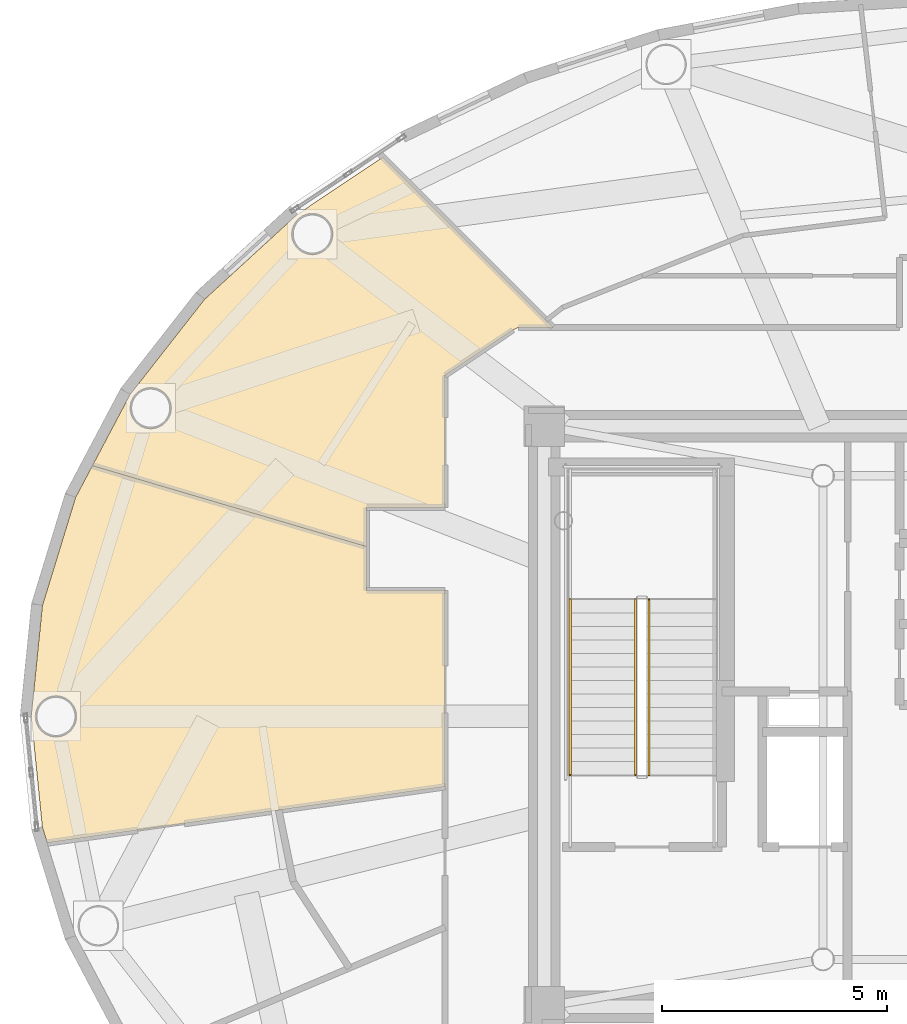
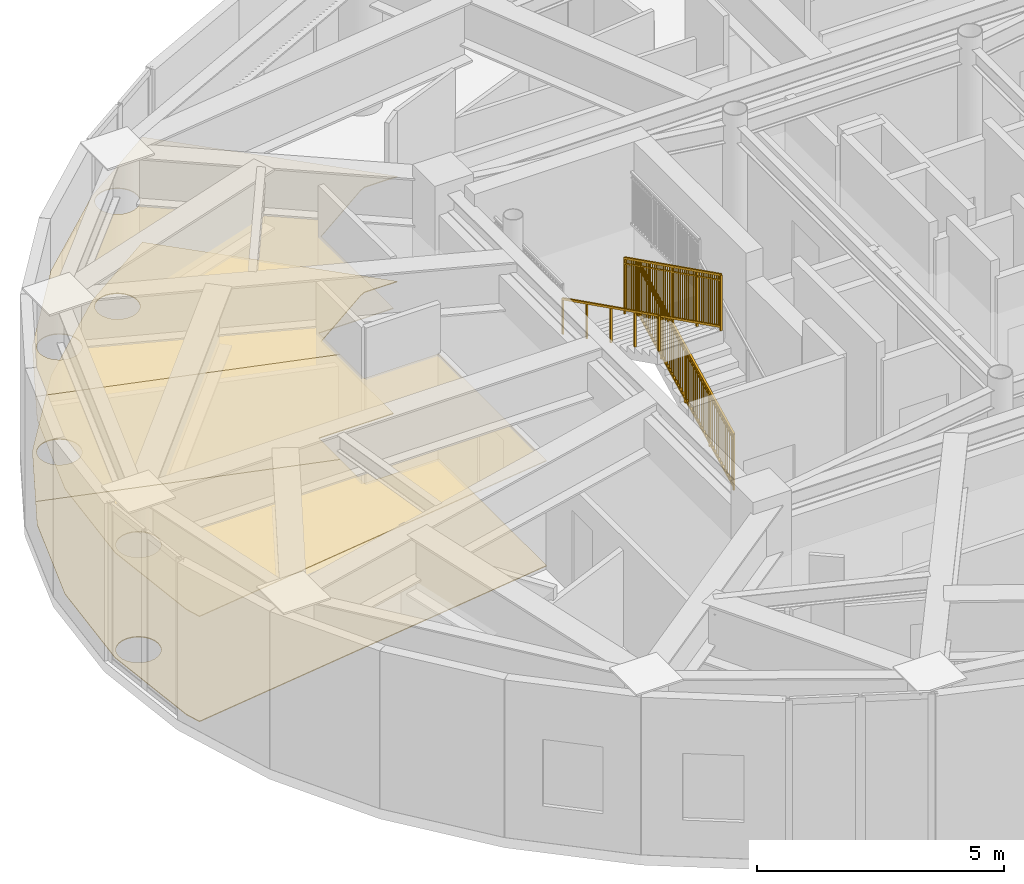
# One storey, part 21 of 23: 4 coverings, 3 railings.
"""IFC4 building model written with IfcOpenShell, lengths in metres."""

from ifc_helpers import new_model, si_unit, direction, frame, origin, origin_2d, place, context, subcontext, project, spatial, polyline, rectangle, outline, extrude, source, transform, mapped, material, layer, layer_set, type_object, element, save


model = new_model("IFC4")

# Units and contexts
model_context = context("Model", 3, precision=1e-05, world=origin(), true_north=direction((0.0, 1.0)))
body_context = subcontext(model_context, "Body", "Model", "MODEL_VIEW")
ifc_project = project(units=[si_unit("LENGTHUNIT", "METRE"), si_unit("AREAUNIT", "SQUARE_METRE"), si_unit("VOLUMEUNIT", "CUBIC_METRE"), si_unit("PLANEANGLEUNIT", "RADIAN"), si_unit("MASSUNIT", "GRAM", prefix="KILO")], contexts=[model_context])

# Site, building, storey
site_placement = place(None, origin())
site = spatial("IfcSite", under=ifc_project, at=site_placement, CompositionType="ELEMENT")
building_placement = place(site_placement, origin())
building = spatial("IfcBuilding", under=site, at=building_placement, Name="Linh Dai School and Residence Tower", CompositionType="ELEMENT")
storey_placement = place(building_placement, frame((0.0, 0.0, 359.39990234375)))
storey = spatial("IfcBuildingStorey", under=building, at=storey_placement, Name="L89", CompositionType="ELEMENT", Elevation=359.39990234375)

# Coverings
ifc_material_1 = material(Name="Mineral Fibre Acoustic Suspended Ceiling", Category="masonry")
ifc_layer_1 = layer(ifc_material_1, 0.02001953125)
ifc_layer_set_1 = layer_set([ifc_layer_1], Name="Mineral Fibre Acoustic Suspended Ceiling")
covering_type_1 = type_object("IfcCoveringType", Name="COV-CEIL-AC-20", PredefinedType="CEILING", material=ifc_layer_set_1)
covering_1_placement = place(storey_placement, frame((0.0, 0.0, 2.60009765625)))
element("IfcCovering", 1, at=covering_1_placement, inside=storey, type_object=covering_type_1, Name="L89 Crown Sky Wintergarden Lounge Suspended Ceiling", PredefinedType="CEILING", context=body_context, shape_type="SweptSolid", body=[
    extrude(outline(polyline([(19.598388671875, 36.266845703125), (21.658447265625, 38.15576171875), (23.5673828125, 39.4326171875), (27.35009765625, 35.64990234375), (26.580078125, 35.64990234375), (26.458740234375, 35.591796875), (24.949951171875, 34.58251953125), (24.949951171875, 31.64990234375), (23.199951171875, 31.64990234375), (23.199951171875, 30.777099609375), (17.109130859375, 32.57421875), (17.94384765625, 34.152587890625), (19.598388671875, 36.266845703125)]), holes=[polyline([(22.44384765625, 37.603271484375), (22.459716796875, 37.722900390625), (22.44384765625, 37.84228515625), (22.397705078125, 37.953857421875), (22.32421875, 38.049560546875), (22.228515625, 38.122802734375), (22.1171875, 38.1689453125), (21.99755859375, 38.184814453125), (21.8779296875, 38.1689453125), (21.7666015625, 38.122802734375), (21.6708984375, 38.049560546875), (21.597412109375, 37.953857421875), (21.55126953125, 37.84228515625), (21.53564453125, 37.722900390625), (21.55126953125, 37.603271484375), (21.597412109375, 37.49169921875), (21.6708984375, 37.39599609375), (21.7666015625, 37.32275390625), (21.8779296875, 37.276611328125), (21.99755859375, 37.2607421875), (22.1171875, 37.276611328125), (22.228515625, 37.32275390625), (22.32421875, 37.39599609375), (22.397705078125, 37.49169921875), (22.44384765625, 37.603271484375)]), polyline([(18.851318359375, 33.73291015625), (18.866943359375, 33.8525390625), (18.851318359375, 33.97216796875), (18.804931640625, 34.08349609375), (18.731689453125, 34.17919921875), (18.635986328125, 34.252685546875), (18.5244140625, 34.298828125), (18.40478515625, 34.314453125), (18.285400390625, 34.298828125), (18.173828125, 34.252685546875), (18.078369140625, 34.17919921875), (18.0048828125, 34.08349609375), (17.958740234375, 33.97216796875), (17.94287109375, 33.8525390625), (17.958740234375, 33.73291015625), (18.0048828125, 33.62158203125), (18.078369140625, 33.52587890625), (18.173828125, 33.452392578125), (18.285400390625, 33.40625), (18.40478515625, 33.390380859375), (18.5244140625, 33.40625), (18.635986328125, 33.452392578125), (18.731689453125, 33.52587890625), (18.804931640625, 33.62158203125), (18.851318359375, 33.73291015625)])]), origin(), (0.0, 0.0, 1.0), 0.02001953125),
])
covering_2_placement = place(storey_placement, frame((0.0, 0.0, 2.60009765625)))
element("IfcCovering", 2, at=covering_2_placement, inside=storey, type_object=covering_type_1, Name="L89 Crown Sky Wintergarden Lounge Reading Room Suspended Ceiling", PredefinedType="CEILING", context=body_context, shape_type="SweptSolid", body=[
    extrude(outline(polyline([(15.75, 27.0), (15.997314453125, 29.4619140625), (16.734375, 31.865478515625), (17.109130859375, 32.57421875), (23.199951171875, 30.777099609375), (23.199951171875, 29.800048828125), (24.949951171875, 29.800048828125), (24.949951171875, 25.439208984375), (16.104248046875, 24.189697265625), (15.997314453125, 24.5380859375), (15.75, 27.0)]), holes=[polyline([(16.746337890625, 27.11962890625), (16.7001953125, 27.23095703125), (16.626708984375, 27.32666015625), (16.531005859375, 27.400146484375), (16.419677734375, 27.4462890625), (16.300048828125, 27.4619140625), (16.180419921875, 27.4462890625), (16.069091796875, 27.400146484375), (15.973388671875, 27.32666015625), (15.89990234375, 27.23095703125), (15.853759765625, 27.11962890625), (15.837890625, 27.0), (15.853759765625, 26.88037109375), (15.89990234375, 26.76904296875), (15.973388671875, 26.67333984375), (16.069091796875, 26.599853515625), (16.180419921875, 26.5537109375), (16.300048828125, 26.5380859375), (16.419677734375, 26.5537109375), (16.531005859375, 26.599853515625), (16.626708984375, 26.67333984375), (16.7001953125, 26.76904296875), (16.746337890625, 26.88037109375), (16.761962890625, 27.0), (16.746337890625, 27.11962890625)])]), origin(), (0.0, 0.0, 1.0), 0.02001953125),
])
ifc_material_2 = material(Name="Polished Terrazzo Floor Finish", Category="masonry")
ifc_layer_2 = layer(ifc_material_2, 0.02490234375)
ifc_layer_set_2 = layer_set([ifc_layer_2], Name="Polished Terrazzo Floor Finish")
covering_type_2 = type_object("IfcCoveringType", Name="COV-FLR-TRZ-25", PredefinedType="FLOORING", material=ifc_layer_set_2)
covering_3_placement = place(storey_placement, origin())
element("IfcCovering", 3, at=covering_3_placement, inside=storey, type_object=covering_type_2, Name="L89 Crown Sky Wintergarden Lounge Floor Finish", PredefinedType="FLOORING", context=body_context, shape_type="SweptSolid", body=[
    extrude(outline(polyline([(19.598388671875, 36.266845703125), (21.658447265625, 38.15576171875), (23.5673828125, 39.4326171875), (27.35009765625, 35.64990234375), (26.580078125, 35.64990234375), (26.458740234375, 35.591796875), (24.949951171875, 34.58251953125), (24.949951171875, 31.64990234375), (23.199951171875, 31.64990234375), (23.199951171875, 30.777099609375), (17.109130859375, 32.57421875), (17.94384765625, 34.152587890625), (19.598388671875, 36.266845703125)]), holes=[polyline([(22.44384765625, 37.603271484375), (22.459716796875, 37.722900390625), (22.44384765625, 37.84228515625), (22.397705078125, 37.953857421875), (22.32421875, 38.049560546875), (22.228515625, 38.122802734375), (22.1171875, 38.1689453125), (21.99755859375, 38.184814453125), (21.8779296875, 38.1689453125), (21.7666015625, 38.122802734375), (21.6708984375, 38.049560546875), (21.597412109375, 37.953857421875), (21.55126953125, 37.84228515625), (21.53564453125, 37.722900390625), (21.55126953125, 37.603271484375), (21.597412109375, 37.49169921875), (21.6708984375, 37.39599609375), (21.7666015625, 37.32275390625), (21.8779296875, 37.276611328125), (21.99755859375, 37.2607421875), (22.1171875, 37.276611328125), (22.228515625, 37.32275390625), (22.32421875, 37.39599609375), (22.397705078125, 37.49169921875), (22.44384765625, 37.603271484375)]), polyline([(18.851318359375, 33.73291015625), (18.866943359375, 33.8525390625), (18.851318359375, 33.97216796875), (18.804931640625, 34.08349609375), (18.731689453125, 34.17919921875), (18.635986328125, 34.252685546875), (18.5244140625, 34.298828125), (18.40478515625, 34.314453125), (18.285400390625, 34.298828125), (18.173828125, 34.252685546875), (18.078369140625, 34.17919921875), (18.0048828125, 34.08349609375), (17.958740234375, 33.97216796875), (17.94287109375, 33.8525390625), (17.958740234375, 33.73291015625), (18.0048828125, 33.62158203125), (18.078369140625, 33.52587890625), (18.173828125, 33.452392578125), (18.285400390625, 33.40625), (18.40478515625, 33.390380859375), (18.5244140625, 33.40625), (18.635986328125, 33.452392578125), (18.731689453125, 33.52587890625), (18.804931640625, 33.62158203125), (18.851318359375, 33.73291015625)])]), origin(), (0.0, 0.0, 1.0), 0.02001953125),
])
covering_4_placement = place(storey_placement, origin())
element("IfcCovering", 4, at=covering_4_placement, inside=storey, type_object=covering_type_2, Name="L89 Crown Sky Wintergarden Lounge Reading Room Floor Finish", PredefinedType="FLOORING", context=body_context, shape_type="SweptSolid", body=[
    extrude(outline(polyline([(15.75, 27.0), (15.997314453125, 29.4619140625), (16.734375, 31.865478515625), (17.109130859375, 32.57421875), (23.199951171875, 30.777099609375), (23.199951171875, 29.800048828125), (24.949951171875, 29.800048828125), (24.949951171875, 25.439208984375), (16.104248046875, 24.189697265625), (15.997314453125, 24.5380859375), (15.75, 27.0)]), holes=[polyline([(16.746337890625, 27.11962890625), (16.7001953125, 27.23095703125), (16.626708984375, 27.32666015625), (16.531005859375, 27.400146484375), (16.419677734375, 27.4462890625), (16.300048828125, 27.4619140625), (16.180419921875, 27.4462890625), (16.069091796875, 27.400146484375), (15.973388671875, 27.32666015625), (15.89990234375, 27.23095703125), (15.853759765625, 27.11962890625), (15.837890625, 27.0), (15.853759765625, 26.88037109375), (15.89990234375, 26.76904296875), (15.973388671875, 26.67333984375), (16.069091796875, 26.599853515625), (16.180419921875, 26.5537109375), (16.300048828125, 26.5380859375), (16.419677734375, 26.5537109375), (16.531005859375, 26.599853515625), (16.626708984375, 26.67333984375), (16.7001953125, 26.76904296875), (16.746337890625, 26.88037109375), (16.761962890625, 27.0), (16.746337890625, 27.11962890625)])]), origin(), (0.0, 0.0, 1.0), 0.02001953125),
])

# Railings
ifc_material_3 = material(Name="Structural Steel S355JR", Category="steel")
railing_type_1 = type_object("IfcRailingType", Name="RL-ST-GUARD-1400", PredefinedType="GUARDRAIL", material=ifc_material_3)
shared_shape_1 = source(origin(), body_context, "Body", "SweptSolid", [
    extrude(rectangle(XDim=0.048095703125, YDim=0.048095703125, at=origin_2d()), frame((0.0, 0.0, 1.3759765625), z_axis=(0.0, 0.894438388696, 0.447191199406), x_axis=(-1.0, 0.0, 0.0)), (0.0, 0.0, 1.0), 4.3603515625),
    extrude(rectangle(XDim=0.048095703125, YDim=0.048095703125, at=origin_2d()), frame((0.0, 0.0, 0.10009765625), z_axis=(0.0, 0.894438388696, 0.447191199406), x_axis=(-1.0, 0.0, 0.0)), (0.0, 0.0, 1.0), 4.3603515625),
    extrude(rectangle(XDim=0.030029296875, YDim=0.030029296875, at=origin_2d()), frame((0.0, 0.0, 1.239990234375), z_axis=(0.0, 0.894438388696, 0.447191199406), x_axis=(-1.0, 0.0, 0.0)), (0.0, 0.0, 1.0), 4.3603515625),
    extrude(rectangle(XDim=0.02001953125, YDim=0.02001953125, at=origin_2d()), frame((0.0, 0.086669921875, 0.143310546875)), (0.0, 0.0, 1.0), 1.251708984375),
    extrude(rectangle(XDim=0.02001953125, YDim=0.02001953125, at=origin_2d()), frame((0.0, 0.17333984375, 0.186767578125)), (0.0, 0.0, 1.0), 1.251708984375),
    extrude(rectangle(XDim=0.02001953125, YDim=0.02001953125, at=origin_2d()), frame((0.0, 0.260009765625, 0.22998046875)), (0.0, 0.0, 1.0), 1.251708984375),
    extrude(rectangle(XDim=0.02001953125, YDim=0.02001953125, at=origin_2d()), frame((0.0, 0.3466796875, 0.2734375)), (0.0, 0.0, 1.0), 1.251708984375),
    extrude(rectangle(XDim=0.02001953125, YDim=0.02001953125, at=origin_2d()), frame((0.0, 0.433349609375, 0.316650390625)), (0.0, 0.0, 1.0), 1.251708984375),
    extrude(rectangle(XDim=0.02001953125, YDim=0.02001953125, at=origin_2d()), frame((0.0, 0.52001953125, 0.360107421875)), (0.0, 0.0, 1.0), 1.251708984375),
    extrude(rectangle(XDim=0.02001953125, YDim=0.02001953125, at=origin_2d()), frame((0.0, 0.606689453125, 0.4033203125)), (0.0, 0.0, 1.0), 1.251708984375),
    extrude(rectangle(XDim=0.02001953125, YDim=0.02001953125, at=origin_2d()), frame((0.0, 0.693359375, 0.44677734375)), (0.0, 0.0, 1.0), 1.251708984375),
    extrude(rectangle(XDim=0.02001953125, YDim=0.02001953125, at=origin_2d()), frame((0.0, 0.780029296875, 0.489990234375)), (0.0, 0.0, 1.0), 1.251708984375),
    extrude(rectangle(XDim=0.02001953125, YDim=0.02001953125, at=origin_2d()), frame((0.0, 0.86669921875, 0.533447265625)), (0.0, 0.0, 1.0), 1.251708984375),
    extrude(rectangle(XDim=0.02001953125, YDim=0.02001953125, at=origin_2d()), frame((0.0, 1.0400390625, 0.6201171875)), (0.0, 0.0, 1.0), 1.251708984375),
    extrude(rectangle(XDim=0.02001953125, YDim=0.02001953125, at=origin_2d()), frame((0.0, 1.126708984375, 0.663330078125)), (0.0, 0.0, 1.0), 1.251708984375),
    extrude(rectangle(XDim=0.02001953125, YDim=0.02001953125, at=origin_2d()), frame((0.0, 1.21337890625, 0.706787109375)), (0.0, 0.0, 1.0), 1.251708984375),
    extrude(rectangle(XDim=0.02001953125, YDim=0.02001953125, at=origin_2d()), frame((0.0, 1.300048828125, 0.75)), (0.0, 0.0, 1.0), 1.251708984375),
    extrude(rectangle(XDim=0.02001953125, YDim=0.02001953125, at=origin_2d()), frame((0.0, 1.38671875, 0.79345703125)), (0.0, 0.0, 1.0), 1.251708984375),
    extrude(rectangle(XDim=0.02001953125, YDim=0.02001953125, at=origin_2d()), frame((0.0, 1.473388671875, 0.836669921875)), (0.0, 0.0, 1.0), 1.251708984375),
    extrude(rectangle(XDim=0.02001953125, YDim=0.02001953125, at=origin_2d()), frame((0.0, 1.56005859375, 0.880126953125)), (0.0, 0.0, 1.0), 1.251708984375),
    extrude(rectangle(XDim=0.02001953125, YDim=0.02001953125, at=origin_2d()), frame((0.0, 1.646728515625, 0.92333984375)), (0.0, 0.0, 1.0), 1.251708984375),
    extrude(rectangle(XDim=0.02001953125, YDim=0.02001953125, at=origin_2d()), frame((0.0, 1.7333984375, 0.966796875)), (0.0, 0.0, 1.0), 1.251708984375),
    extrude(rectangle(XDim=0.02001953125, YDim=0.02001953125, at=origin_2d()), frame((0.0, 1.820068359375, 1.010009765625)), (0.0, 0.0, 1.0), 1.251708984375),
    extrude(rectangle(XDim=0.02001953125, YDim=0.02001953125, at=origin_2d()), frame((0.0, 1.90673828125, 1.053466796875)), (0.0, 0.0, 1.0), 1.251708984375),
    extrude(rectangle(XDim=0.02001953125, YDim=0.02001953125, at=origin_2d()), frame((0.0, 1.993408203125, 1.0966796875)), (0.0, 0.0, 1.0), 1.251708984375),
    extrude(rectangle(XDim=0.02001953125, YDim=0.02001953125, at=origin_2d()), frame((0.0, 2.080078125, 1.14013671875)), (0.0, 0.0, 1.0), 1.251708984375),
    extrude(rectangle(XDim=0.02001953125, YDim=0.02001953125, at=origin_2d()), frame((0.0, 2.166748046875, 1.183349609375)), (0.0, 0.0, 1.0), 1.251708984375),
    extrude(rectangle(XDim=0.02001953125, YDim=0.02001953125, at=origin_2d()), frame((0.0, 2.25341796875, 1.226806640625)), (0.0, 0.0, 1.0), 1.251708984375),
    extrude(rectangle(XDim=0.02001953125, YDim=0.02001953125, at=origin_2d()), frame((0.0, 2.340087890625, 1.27001953125)), (0.0, 0.0, 1.0), 1.251708984375),
    extrude(rectangle(XDim=0.02001953125, YDim=0.02001953125, at=origin_2d()), frame((0.0, 2.4267578125, 1.3134765625)), (0.0, 0.0, 1.0), 1.251708984375),
    extrude(rectangle(XDim=0.02001953125, YDim=0.02001953125, at=origin_2d()), frame((0.0, 2.513427734375, 1.356689453125)), (0.0, 0.0, 1.0), 1.251708984375),
    extrude(rectangle(XDim=0.02001953125, YDim=0.02001953125, at=origin_2d()), frame((0.0, 2.60009765625, 1.400146484375)), (0.0, 0.0, 1.0), 1.251708984375),
    extrude(rectangle(XDim=0.02001953125, YDim=0.02001953125, at=origin_2d()), frame((0.0, 2.686767578125, 1.443359375)), (0.0, 0.0, 1.0), 1.251708984375),
    extrude(rectangle(XDim=0.02001953125, YDim=0.02001953125, at=origin_2d()), frame((0.0, 2.7734375, 1.48681640625)), (0.0, 0.0, 1.0), 1.251708984375),
    extrude(rectangle(XDim=0.02001953125, YDim=0.02001953125, at=origin_2d()), frame((0.0, 2.860107421875, 1.530029296875)), (0.0, 0.0, 1.0), 1.251708984375),
    extrude(rectangle(XDim=0.02001953125, YDim=0.02001953125, at=origin_2d()), frame((0.0, 3.033447265625, 1.61669921875)), (0.0, 0.0, 1.0), 1.251708984375),
    extrude(rectangle(XDim=0.02001953125, YDim=0.02001953125, at=origin_2d()), frame((0.0, 3.1201171875, 1.66015625)), (0.0, 0.0, 1.0), 1.251708984375),
    extrude(rectangle(XDim=0.02001953125, YDim=0.02001953125, at=origin_2d()), frame((0.0, 3.206787109375, 1.703369140625)), (0.0, 0.0, 1.0), 1.251708984375),
    extrude(rectangle(XDim=0.02001953125, YDim=0.02001953125, at=origin_2d()), frame((0.0, 3.29345703125, 1.746826171875)), (0.0, 0.0, 1.0), 1.251708984375),
    extrude(rectangle(XDim=0.02001953125, YDim=0.02001953125, at=origin_2d()), frame((0.0, 3.380126953125, 1.7900390625)), (0.0, 0.0, 1.0), 1.251708984375),
    extrude(rectangle(XDim=0.02001953125, YDim=0.02001953125, at=origin_2d()), frame((0.0, 3.466796875, 1.83349609375)), (0.0, 0.0, 1.0), 1.251708984375),
    extrude(rectangle(XDim=0.02001953125, YDim=0.02001953125, at=origin_2d()), frame((0.0, 3.553466796875, 1.876708984375)), (0.0, 0.0, 1.0), 1.251708984375),
    extrude(rectangle(XDim=0.02001953125, YDim=0.02001953125, at=origin_2d()), frame((0.0, 3.64013671875, 1.920166015625)), (0.0, 0.0, 1.0), 1.251708984375),
    extrude(rectangle(XDim=0.02001953125, YDim=0.02001953125, at=origin_2d()), frame((0.0, 3.726806640625, 1.96337890625)), (0.0, 0.0, 1.0), 1.251708984375),
    extrude(rectangle(XDim=0.02001953125, YDim=0.02001953125, at=origin_2d()), frame((0.0, 3.8134765625, 2.0068359375)), (0.0, 0.0, 1.0), 1.251708984375),
    extrude(rectangle(XDim=0.0419921875, YDim=0.0419921875, at=origin_2d()), origin(), (0.0, 0.0, 1.0), 1.3759765625),
    extrude(rectangle(XDim=0.0419921875, YDim=0.0419921875, at=origin_2d()), frame((0.0, 0.97509765625, 0.487548828125)), (0.0, 0.0, 1.0), 1.3759765625),
    extrude(rectangle(XDim=0.0419921875, YDim=0.0419921875, at=origin_2d()), frame((0.0, 1.9501953125, 0.97509765625)), (0.0, 0.0, 1.0), 1.3759765625),
    extrude(rectangle(XDim=0.0419921875, YDim=0.0419921875, at=origin_2d()), frame((0.0, 2.925048828125, 1.46240234375)), (0.0, 0.0, 1.0), 1.3759765625),
    extrude(rectangle(XDim=0.0419921875, YDim=0.0419921875, at=origin_2d()), frame((0.0, 3.900146484375, 1.949951171875)), (0.0, 0.0, 1.0), 1.3759765625),
])
railing_1_placement = place(storey_placement, frame((29.47998046875, 25.699951171875, 0.150146484375)))
element("IfcRailing", 5, at=railing_1_placement, inside=storey, type_object=railing_type_1, Name="L89 ST1 stair guard 1", PredefinedType="GUARDRAIL", context=body_context, shape_type="MappedRepresentation", body=[
    mapped(shared_shape_1, transform((0.0, 0.0, 0.0), x_axis=(1.0, 0.0, 0.0), y_axis=(0.0, 1.0, 0.0), z_axis=(0.0, 0.0, 1.0), scale=1.0)),
])
shared_shape_2 = source(origin(), body_context, "Body", "SweptSolid", [
    extrude(rectangle(XDim=0.048095703125, YDim=0.048095703125, at=origin_2d()), frame((0.0, 0.0, 1.3759765625), z_axis=(0.0, -0.894415993023, 0.447235990752), x_axis=(1.0, 0.0, 0.0)), (0.0, 0.0, 1.0), 4.360595703125),
    extrude(rectangle(XDim=0.048095703125, YDim=0.048095703125, at=origin_2d()), frame((0.0, 0.0, 0.10009765625), z_axis=(0.0, -0.894415993023, 0.447235990752), x_axis=(1.0, 0.0, 0.0)), (0.0, 0.0, 1.0), 4.360595703125),
    extrude(rectangle(XDim=0.030029296875, YDim=0.030029296875, at=origin_2d()), frame((0.0, 0.0, 1.239990234375), z_axis=(0.0, -0.894415993023, 0.447235990752), x_axis=(1.0, 0.0, 0.0)), (0.0, 0.0, 1.0), 4.360595703125),
    extrude(rectangle(XDim=0.02001953125, YDim=0.02001953125, at=origin_2d()), frame((0.0, -0.086669921875, 0.1435546875)), (0.0, 0.0, 1.0), 1.251708984375),
    extrude(rectangle(XDim=0.02001953125, YDim=0.02001953125, at=origin_2d()), frame((0.0, -0.17333984375, 0.186767578125)), (0.0, 0.0, 1.0), 1.251708984375),
    extrude(rectangle(XDim=0.02001953125, YDim=0.02001953125, at=origin_2d()), frame((0.0, -0.260009765625, 0.230224609375)), (0.0, 0.0, 1.0), 1.251708984375),
    extrude(rectangle(XDim=0.02001953125, YDim=0.02001953125, at=origin_2d()), frame((0.0, -0.3466796875, 0.2734375)), (0.0, 0.0, 1.0), 1.251708984375),
    extrude(rectangle(XDim=0.02001953125, YDim=0.02001953125, at=origin_2d()), frame((0.0, -0.433349609375, 0.31689453125)), (0.0, 0.0, 1.0), 1.251708984375),
    extrude(rectangle(XDim=0.02001953125, YDim=0.02001953125, at=origin_2d()), frame((0.0, -0.52001953125, 0.360107421875)), (0.0, 0.0, 1.0), 1.251708984375),
    extrude(rectangle(XDim=0.02001953125, YDim=0.02001953125, at=origin_2d()), frame((0.0, -0.606689453125, 0.403564453125)), (0.0, 0.0, 1.0), 1.251708984375),
    extrude(rectangle(XDim=0.02001953125, YDim=0.02001953125, at=origin_2d()), frame((0.0, -0.693359375, 0.44677734375)), (0.0, 0.0, 1.0), 1.251708984375),
    extrude(rectangle(XDim=0.02001953125, YDim=0.02001953125, at=origin_2d()), frame((0.0, -0.780029296875, 0.490234375)), (0.0, 0.0, 1.0), 1.251708984375),
    extrude(rectangle(XDim=0.02001953125, YDim=0.02001953125, at=origin_2d()), frame((0.0, -0.86669921875, 0.533447265625)), (0.0, 0.0, 1.0), 1.251708984375),
    extrude(rectangle(XDim=0.02001953125, YDim=0.02001953125, at=origin_2d()), frame((0.0, -1.0400390625, 0.6201171875)), (0.0, 0.0, 1.0), 1.251708984375),
    extrude(rectangle(XDim=0.02001953125, YDim=0.02001953125, at=origin_2d()), frame((0.0, -1.126708984375, 0.66357421875)), (0.0, 0.0, 1.0), 1.251708984375),
    extrude(rectangle(XDim=0.02001953125, YDim=0.02001953125, at=origin_2d()), frame((0.0, -1.21337890625, 0.706787109375)), (0.0, 0.0, 1.0), 1.251708984375),
    extrude(rectangle(XDim=0.02001953125, YDim=0.02001953125, at=origin_2d()), frame((0.0, -1.300048828125, 0.750244140625)), (0.0, 0.0, 1.0), 1.251708984375),
    extrude(rectangle(XDim=0.02001953125, YDim=0.02001953125, at=origin_2d()), frame((0.0, -1.38671875, 0.79345703125)), (0.0, 0.0, 1.0), 1.251708984375),
    extrude(rectangle(XDim=0.02001953125, YDim=0.02001953125, at=origin_2d()), frame((0.0, -1.473388671875, 0.8369140625)), (0.0, 0.0, 1.0), 1.251708984375),
    extrude(rectangle(XDim=0.02001953125, YDim=0.02001953125, at=origin_2d()), frame((0.0, -1.56005859375, 0.880126953125)), (0.0, 0.0, 1.0), 1.251708984375),
    extrude(rectangle(XDim=0.02001953125, YDim=0.02001953125, at=origin_2d()), frame((0.0, -1.646728515625, 0.923583984375)), (0.0, 0.0, 1.0), 1.251708984375),
    extrude(rectangle(XDim=0.02001953125, YDim=0.02001953125, at=origin_2d()), frame((0.0, -1.7333984375, 0.966796875)), (0.0, 0.0, 1.0), 1.251708984375),
    extrude(rectangle(XDim=0.02001953125, YDim=0.02001953125, at=origin_2d()), frame((0.0, -1.820068359375, 1.01025390625)), (0.0, 0.0, 1.0), 1.251708984375),
    extrude(rectangle(XDim=0.02001953125, YDim=0.02001953125, at=origin_2d()), frame((0.0, -1.90673828125, 1.053466796875)), (0.0, 0.0, 1.0), 1.251708984375),
    extrude(rectangle(XDim=0.02001953125, YDim=0.02001953125, at=origin_2d()), frame((0.0, -1.993408203125, 1.096923828125)), (0.0, 0.0, 1.0), 1.251708984375),
    extrude(rectangle(XDim=0.02001953125, YDim=0.02001953125, at=origin_2d()), frame((0.0, -2.080078125, 1.14013671875)), (0.0, 0.0, 1.0), 1.251708984375),
    extrude(rectangle(XDim=0.02001953125, YDim=0.02001953125, at=origin_2d()), frame((0.0, -2.166748046875, 1.18359375)), (0.0, 0.0, 1.0), 1.251708984375),
    extrude(rectangle(XDim=0.02001953125, YDim=0.02001953125, at=origin_2d()), frame((0.0, -2.25341796875, 1.226806640625)), (0.0, 0.0, 1.0), 1.251708984375),
    extrude(rectangle(XDim=0.02001953125, YDim=0.02001953125, at=origin_2d()), frame((0.0, -2.340087890625, 1.270263671875)), (0.0, 0.0, 1.0), 1.251708984375),
    extrude(rectangle(XDim=0.02001953125, YDim=0.02001953125, at=origin_2d()), frame((0.0, -2.4267578125, 1.3134765625)), (0.0, 0.0, 1.0), 1.251708984375),
    extrude(rectangle(XDim=0.02001953125, YDim=0.02001953125, at=origin_2d()), frame((0.0, -2.513427734375, 1.35693359375)), (0.0, 0.0, 1.0), 1.251708984375),
    extrude(rectangle(XDim=0.02001953125, YDim=0.02001953125, at=origin_2d()), frame((0.0, -2.60009765625, 1.400146484375)), (0.0, 0.0, 1.0), 1.251708984375),
    extrude(rectangle(XDim=0.02001953125, YDim=0.02001953125, at=origin_2d()), frame((0.0, -2.686767578125, 1.443603515625)), (0.0, 0.0, 1.0), 1.251708984375),
    extrude(rectangle(XDim=0.02001953125, YDim=0.02001953125, at=origin_2d()), frame((0.0, -2.7734375, 1.48681640625)), (0.0, 0.0, 1.0), 1.251708984375),
    extrude(rectangle(XDim=0.02001953125, YDim=0.02001953125, at=origin_2d()), frame((0.0, -2.860107421875, 1.5302734375)), (0.0, 0.0, 1.0), 1.251708984375),
    extrude(rectangle(XDim=0.02001953125, YDim=0.02001953125, at=origin_2d()), frame((0.0, -3.033447265625, 1.616943359375)), (0.0, 0.0, 1.0), 1.251708984375),
    extrude(rectangle(XDim=0.02001953125, YDim=0.02001953125, at=origin_2d()), frame((0.0, -3.1201171875, 1.66015625)), (0.0, 0.0, 1.0), 1.251708984375),
    extrude(rectangle(XDim=0.02001953125, YDim=0.02001953125, at=origin_2d()), frame((0.0, -3.206787109375, 1.70361328125)), (0.0, 0.0, 1.0), 1.251708984375),
    extrude(rectangle(XDim=0.02001953125, YDim=0.02001953125, at=origin_2d()), frame((0.0, -3.29345703125, 1.746826171875)), (0.0, 0.0, 1.0), 1.251708984375),
    extrude(rectangle(XDim=0.02001953125, YDim=0.02001953125, at=origin_2d()), frame((0.0, -3.380126953125, 1.790283203125)), (0.0, 0.0, 1.0), 1.251708984375),
    extrude(rectangle(XDim=0.02001953125, YDim=0.02001953125, at=origin_2d()), frame((0.0, -3.466796875, 1.83349609375)), (0.0, 0.0, 1.0), 1.251708984375),
    extrude(rectangle(XDim=0.02001953125, YDim=0.02001953125, at=origin_2d()), frame((0.0, -3.553466796875, 1.876953125)), (0.0, 0.0, 1.0), 1.251708984375),
    extrude(rectangle(XDim=0.02001953125, YDim=0.02001953125, at=origin_2d()), frame((0.0, -3.64013671875, 1.920166015625)), (0.0, 0.0, 1.0), 1.251708984375),
    extrude(rectangle(XDim=0.02001953125, YDim=0.02001953125, at=origin_2d()), frame((0.0, -3.726806640625, 1.963623046875)), (0.0, 0.0, 1.0), 1.251708984375),
    extrude(rectangle(XDim=0.02001953125, YDim=0.02001953125, at=origin_2d()), frame((0.0, -3.8134765625, 2.0068359375)), (0.0, 0.0, 1.0), 1.251708984375),
    extrude(rectangle(XDim=0.0419921875, YDim=0.0419921875, at=origin_2d()), origin(), (0.0, 0.0, 1.0), 1.3759765625),
    extrude(rectangle(XDim=0.0419921875, YDim=0.0419921875, at=origin_2d()), frame((0.0, -0.97509765625, 0.487548828125)), (0.0, 0.0, 1.0), 1.3759765625),
    extrude(rectangle(XDim=0.0419921875, YDim=0.0419921875, at=origin_2d()), frame((0.0, -1.9501953125, 0.97509765625)), (0.0, 0.0, 1.0), 1.3759765625),
    extrude(rectangle(XDim=0.0419921875, YDim=0.0419921875, at=origin_2d()), frame((0.0, -2.925048828125, 1.462646484375)), (0.0, 0.0, 1.0), 1.3759765625),
    extrude(rectangle(XDim=0.0419921875, YDim=0.0419921875, at=origin_2d()), frame((0.0, -3.900146484375, 1.9501953125)), (0.0, 0.0, 1.0), 1.3759765625),
])
railing_2_placement = place(storey_placement, frame((29.179931640625, 29.60009765625, 2.25)))
element("IfcRailing", 6, at=railing_2_placement, inside=storey, type_object=railing_type_1, Name="L89 ST1 stair guard 6", PredefinedType="GUARDRAIL", context=body_context, shape_type="MappedRepresentation", body=[
    mapped(shared_shape_2, transform((0.0, 0.0, 0.0), x_axis=(1.0, 0.0, 0.0), y_axis=(0.0, 1.0, 0.0), z_axis=(0.0, 0.0, 1.0), scale=1.0)),
])
ifc_material_4 = material(Name="Brushed Stainless Steel Handrail", Category="steel")
railing_type_2 = type_object("IfcRailingType", Name="RL-ST-HANDRAIL-900", PredefinedType="HANDRAIL", material=ifc_material_4)
shared_shape_3 = source(origin(), body_context, "Body", "SweptSolid", [
    extrude(rectangle(XDim=0.048095703125, YDim=0.048095703125, at=origin_2d()), frame((0.0, 0.0, 0.8759765625), z_axis=(0.0, -0.894415993023, 0.447235990752), x_axis=(1.0, 0.0, 0.0)), (0.0, 0.0, 1.0), 4.360595703125),
    extrude(rectangle(XDim=0.0419921875, YDim=0.0419921875, at=origin_2d()), origin(), (0.0, 0.0, 1.0), 0.8759765625),
    extrude(rectangle(XDim=0.0419921875, YDim=0.0419921875, at=origin_2d()), frame((0.0, -0.97509765625, 0.487548828125)), (0.0, 0.0, 1.0), 0.8759765625),
    extrude(rectangle(XDim=0.0419921875, YDim=0.0419921875, at=origin_2d()), frame((0.0, -1.9501953125, 0.97509765625)), (0.0, 0.0, 1.0), 0.8759765625),
    extrude(rectangle(XDim=0.0419921875, YDim=0.0419921875, at=origin_2d()), frame((0.0, -2.925048828125, 1.462646484375)), (0.0, 0.0, 1.0), 0.8759765625),
    extrude(rectangle(XDim=0.0419921875, YDim=0.0419921875, at=origin_2d()), frame((0.0, -3.900146484375, 1.9501953125)), (0.0, 0.0, 1.0), 0.8759765625),
])
railing_3_placement = place(storey_placement, frame((27.72998046875, 29.60009765625, 2.25)))
element("IfcRailing", 7, at=railing_3_placement, inside=storey, type_object=railing_type_2, Name="L89 ST1 stair handrail 2", PredefinedType="HANDRAIL", context=body_context, shape_type="MappedRepresentation", body=[
    mapped(shared_shape_3, transform((0.0, 0.0, 0.0), x_axis=(1.0, 0.0, 0.0), y_axis=(0.0, 1.0, 0.0), z_axis=(0.0, 0.0, 1.0), scale=1.0)),
])

save(model, "model.ifc")
